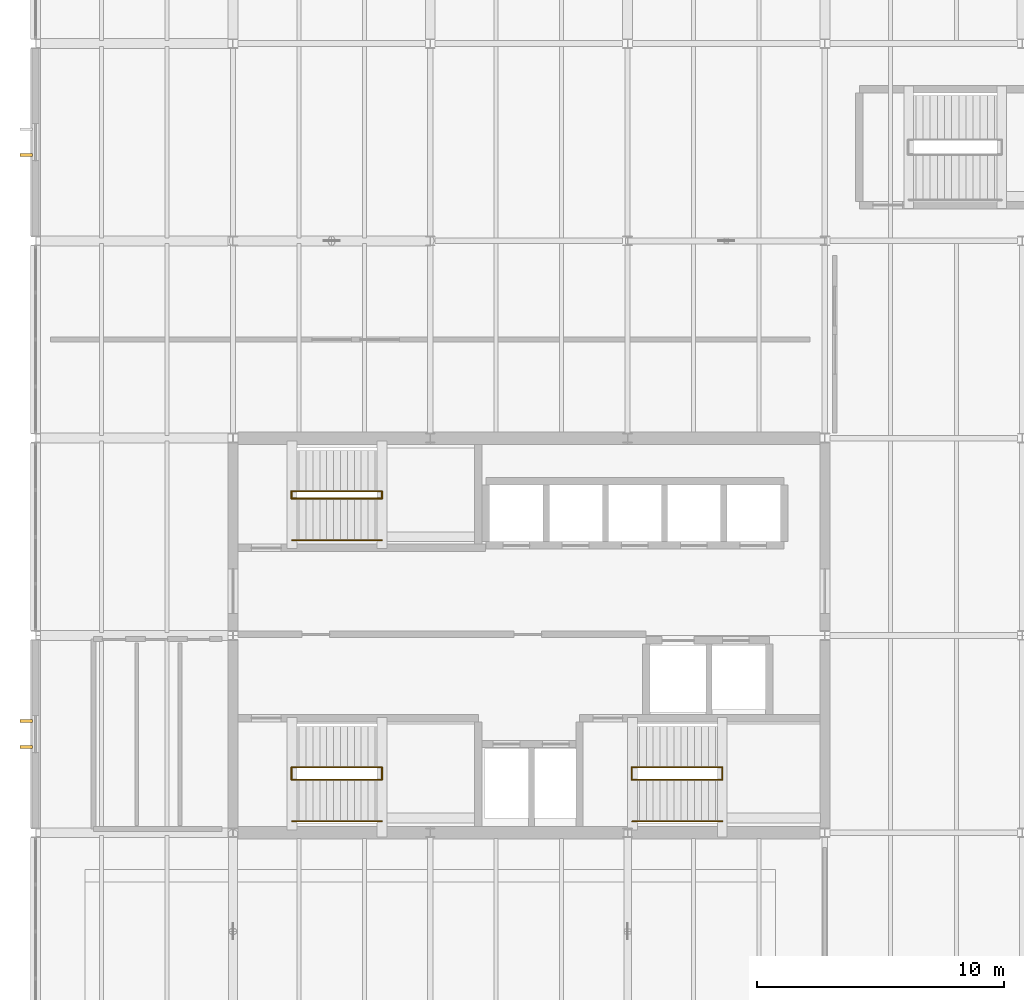
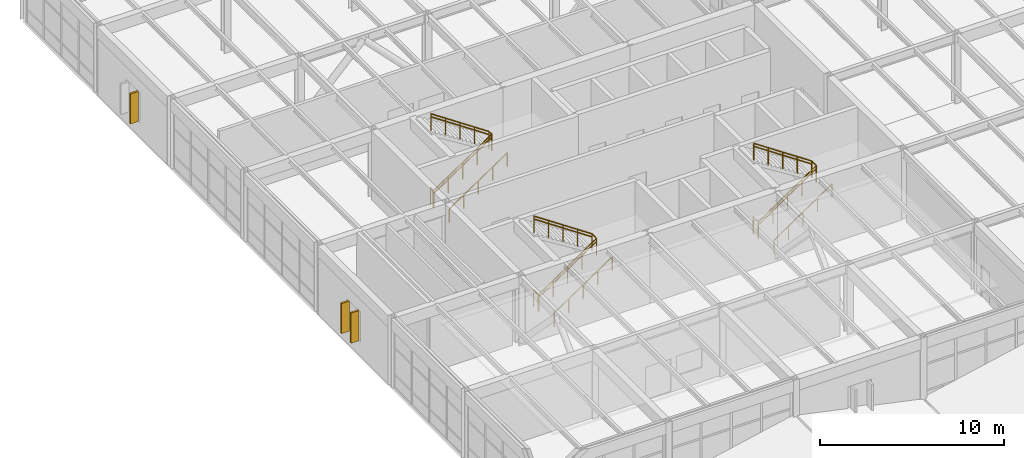
# One storey, part 52 of 60: 18 railings, 3 shading devices.
"""IFC4 building model written with IfcOpenShell, lengths in metres."""

from ifc_helpers import new_model, si_unit, direction, frame, origin, origin_2d, place, context, subcontext, project, spatial, rectangle, circle, extrude, material, type_object, element, save


model = new_model("IFC4")

# Units and contexts
model_context = context("Model", 3, precision=1e-05, world=origin(), true_north=direction((0.0, 1.0)))
body_context = subcontext(model_context, "Body", "Model", "MODEL_VIEW")
ifc_project = project(units=[si_unit("LENGTHUNIT", "METRE"), si_unit("AREAUNIT", "SQUARE_METRE"), si_unit("VOLUMEUNIT", "CUBIC_METRE"), si_unit("PLANEANGLEUNIT", "RADIAN"), si_unit("MASSUNIT", "GRAM", prefix="KILO")], contexts=[model_context])

# Site, building, storey
site_placement = place(None, origin())
site = spatial("IfcSite", under=ifc_project, at=site_placement, CompositionType="ELEMENT")
building_placement = place(site_placement, origin())
building = spatial("IfcBuilding", under=site, at=building_placement, Name="Varnela Railside Interchange", CompositionType="ELEMENT")
storey_placement = place(building_placement, frame((0.0, 0.0, 6.300048828125)))
storey = spatial("IfcBuildingStorey", under=building, at=storey_placement, Name="L01", CompositionType="ELEMENT", Elevation=6.300048828125)

# Shading devices
ifc_material_1 = material(Name="Concrete C40 precast", Category="concrete")
shading_device_type = type_object("IfcShadingDeviceType", Name="Paulista Vertical Brise-Soleil BS-01", PredefinedType="USERDEFINED", material=ifc_material_1)
for number, where, z_axis, x_axis, name in (
    (1, (3.614990234375, 57.47509765625, 0.949951171875), (0.0, 0.0, 1.0), (-1.0, 0.0, 0.0), "Paulista Vertical Brise-Soleil BS-01 (L01)"),
    (2, (3.614990234375, 58.52490234375, 0.949951171875), (0.0, 0.0, 1.0), (-1.0, 0.0, 0.0), "Paulista Vertical Brise-Soleil BS-01 (L01)"),
    (3, (3.614990234375, 81.47509765625, 0.949951171875), (0.0, 0.0, 1.0), (-1.0, 0.0, 0.0), "Paulista Vertical Brise-Soleil BS-01 (L01)"),
):
    element("IfcShadingDevice", number, at=place(storey_placement, frame(where, z_axis=z_axis, x_axis=x_axis)), inside=storey, type_object=shading_device_type, Name=name, ObjectType="FIN", PredefinedType="USERDEFINED", context=body_context, shape_type="SweptSolid", body=[
        extrude(rectangle(XDim=0.5, YDim=0.1201171875, at=origin_2d()), origin(), (0.0, 0.0, 1.0), 2.0),
    ])

# Railings
ifc_material_2 = material(Name="Steel AR 350 (350 MPa)", Category="steel")
railing_type_1 = type_object("IfcRailingType", Name="Stair & Ramp Pitch Handrail HR-01", PredefinedType="HANDRAIL", material=ifc_material_2)
railing_1_placement = place(storey_placement, frame((14.39990234375, 56.14990234375, 0.0)))
element("IfcRailing", 4, at=railing_1_placement, inside=storey, type_object=railing_type_1, Name="Stair Handrail ST-T1 Flight 1 (RL-0311)", PredefinedType="HANDRAIL", context=body_context, shape_type="SweptSolid", body=[
    extrude(circle(Radius=0.02392578125, at=origin_2d()), frame((0.0, 0.0, 0.89599609375), z_axis=(0.829602616941, 0.0, 0.558354276392), x_axis=(0.0, 1.0, 0.0)), (0.0, 0.0, 1.0), 4.3876953125),
    extrude(circle(Radius=0.02099609375, at=origin_2d()), origin(), (0.0, 0.0, 1.0), 0.871826171875),
    extrude(circle(Radius=0.02099609375, at=origin_2d()), frame((0.91015625, 0.0, 0.612548828125)), (0.0, 0.0, 1.0), 0.871826171875),
    extrude(circle(Radius=0.02099609375, at=origin_2d()), frame((1.820068359375, 0.0, 1.22509765625)), (0.0, 0.0, 1.0), 0.871826171875),
    extrude(circle(Radius=0.02099609375, at=origin_2d()), frame((2.72998046875, 0.0, 1.83740234375)), (0.0, 0.0, 1.0), 0.871826171875),
    extrude(circle(Radius=0.02099609375, at=origin_2d()), frame((3.64013671875, 0.0, 2.449951171875)), (0.0, 0.0, 1.0), 0.871826171875),
])
railing_2_placement = place(storey_placement, frame((18.0400390625, 56.64990234375, 2.449951171875)))
element("IfcRailing", 5, at=railing_2_placement, inside=storey, type_object=railing_type_1, Name="Stair Handrail ST-T1 Flight 2 (RL-0312)", PredefinedType="HANDRAIL", context=body_context, shape_type="SweptSolid", body=[
    extrude(circle(Radius=0.02392578125, at=origin_2d()), frame((0.0, 0.0, 0.89599609375), z_axis=(-0.829602616941, 0.0, 0.558354276392), x_axis=(0.0, -1.0, 0.0)), (0.0, 0.0, 1.0), 4.3876953125),
    extrude(circle(Radius=0.02099609375, at=origin_2d()), origin(), (0.0, 0.0, 1.0), 0.871826171875),
    extrude(circle(Radius=0.02099609375, at=origin_2d()), frame((-0.91015625, 0.0, 0.612548828125)), (0.0, 0.0, 1.0), 0.871826171875),
    extrude(circle(Radius=0.02099609375, at=origin_2d()), frame((-1.820068359375, 0.0, 1.22509765625)), (0.0, 0.0, 1.0), 0.871826171875),
    extrude(circle(Radius=0.02099609375, at=origin_2d()), frame((-2.72998046875, 0.0, 1.83740234375)), (0.0, 0.0, 1.0), 0.871826171875),
    extrude(circle(Radius=0.02099609375, at=origin_2d()), frame((-3.64013671875, 0.0, 2.449951171875)), (0.0, 0.0, 1.0), 0.871826171875),
])
railing_3_placement = place(storey_placement, frame((28.199951171875, 56.14990234375, 0.0)))
element("IfcRailing", 6, at=railing_3_placement, inside=storey, type_object=railing_type_1, Name="Stair Handrail ST-T2 Flight 1 (RL-0313)", PredefinedType="HANDRAIL", context=body_context, shape_type="SweptSolid", body=[
    extrude(circle(Radius=0.02392578125, at=origin_2d()), frame((0.0, 0.0, 0.89599609375), z_axis=(0.829602616941, 0.0, 0.558354276392), x_axis=(0.0, 1.0, 0.0)), (0.0, 0.0, 1.0), 4.3876953125),
    extrude(circle(Radius=0.02099609375, at=origin_2d()), origin(), (0.0, 0.0, 1.0), 0.871826171875),
    extrude(circle(Radius=0.02099609375, at=origin_2d()), frame((0.91015625, 0.0, 0.612548828125)), (0.0, 0.0, 1.0), 0.871826171875),
    extrude(circle(Radius=0.02099609375, at=origin_2d()), frame((1.820068359375, 0.0, 1.22509765625)), (0.0, 0.0, 1.0), 0.871826171875),
    extrude(circle(Radius=0.02099609375, at=origin_2d()), frame((2.72998046875, 0.0, 1.83740234375)), (0.0, 0.0, 1.0), 0.871826171875),
    extrude(circle(Radius=0.02099609375, at=origin_2d()), frame((3.64013671875, 0.0, 2.449951171875)), (0.0, 0.0, 1.0), 0.871826171875),
])
railing_4_placement = place(storey_placement, frame((31.840087890625, 56.64990234375, 2.449951171875)))
element("IfcRailing", 7, at=railing_4_placement, inside=storey, type_object=railing_type_1, Name="Stair Handrail ST-T2 Flight 2 (RL-0314)", PredefinedType="HANDRAIL", context=body_context, shape_type="SweptSolid", body=[
    extrude(circle(Radius=0.02392578125, at=origin_2d()), frame((0.0, 0.0, 0.89599609375), z_axis=(-0.829602616941, 0.0, 0.558354276392), x_axis=(0.0, -1.0, 0.0)), (0.0, 0.0, 1.0), 4.3876953125),
    extrude(circle(Radius=0.02099609375, at=origin_2d()), origin(), (0.0, 0.0, 1.0), 0.871826171875),
    extrude(circle(Radius=0.02099609375, at=origin_2d()), frame((-0.91015625, 0.0, 0.612548828125)), (0.0, 0.0, 1.0), 0.871826171875),
    extrude(circle(Radius=0.02099609375, at=origin_2d()), frame((-1.820068359375, 0.0, 1.22509765625)), (0.0, 0.0, 1.0), 0.871826171875),
    extrude(circle(Radius=0.02099609375, at=origin_2d()), frame((-2.72998046875, 0.0, 1.83740234375)), (0.0, 0.0, 1.0), 0.871826171875),
    extrude(circle(Radius=0.02099609375, at=origin_2d()), frame((-3.64013671875, 0.0, 2.449951171875)), (0.0, 0.0, 1.0), 0.871826171875),
])
railing_5_placement = place(storey_placement, frame((14.39990234375, 67.550048828125, 0.0)))
element("IfcRailing", 8, at=railing_5_placement, inside=storey, type_object=railing_type_1, Name="Stair Handrail ST-T3 Flight 1 (RL-0315)", PredefinedType="HANDRAIL", context=body_context, shape_type="SweptSolid", body=[
    extrude(circle(Radius=0.02392578125, at=origin_2d()), frame((0.0, 0.0, 0.89599609375), z_axis=(0.829602616941, 0.0, 0.558354276392), x_axis=(0.0, 1.0, 0.0)), (0.0, 0.0, 1.0), 4.3876953125),
    extrude(circle(Radius=0.02099609375, at=origin_2d()), origin(), (0.0, 0.0, 1.0), 0.871826171875),
    extrude(circle(Radius=0.02099609375, at=origin_2d()), frame((0.91015625, 0.0, 0.612548828125)), (0.0, 0.0, 1.0), 0.871826171875),
    extrude(circle(Radius=0.02099609375, at=origin_2d()), frame((1.820068359375, 0.0, 1.22509765625)), (0.0, 0.0, 1.0), 0.871826171875),
    extrude(circle(Radius=0.02099609375, at=origin_2d()), frame((2.72998046875, 0.0, 1.83740234375)), (0.0, 0.0, 1.0), 0.871826171875),
    extrude(circle(Radius=0.02099609375, at=origin_2d()), frame((3.64013671875, 0.0, 2.449951171875)), (0.0, 0.0, 1.0), 0.871826171875),
])
railing_6_placement = place(storey_placement, frame((18.0400390625, 67.85009765625, 2.449951171875)))
element("IfcRailing", 9, at=railing_6_placement, inside=storey, type_object=railing_type_1, Name="Stair Handrail ST-T3 Flight 2 (RL-0316)", PredefinedType="HANDRAIL", context=body_context, shape_type="SweptSolid", body=[
    extrude(circle(Radius=0.02392578125, at=origin_2d()), frame((0.0, 0.0, 0.89599609375), z_axis=(-0.829602616941, 0.0, 0.558354276392), x_axis=(0.0, -1.0, 0.0)), (0.0, 0.0, 1.0), 4.3876953125),
    extrude(circle(Radius=0.02099609375, at=origin_2d()), origin(), (0.0, 0.0, 1.0), 0.871826171875),
    extrude(circle(Radius=0.02099609375, at=origin_2d()), frame((-0.91015625, 0.0, 0.612548828125)), (0.0, 0.0, 1.0), 0.871826171875),
    extrude(circle(Radius=0.02099609375, at=origin_2d()), frame((-1.820068359375, 0.0, 1.22509765625)), (0.0, 0.0, 1.0), 0.871826171875),
    extrude(circle(Radius=0.02099609375, at=origin_2d()), frame((-2.72998046875, 0.0, 1.83740234375)), (0.0, 0.0, 1.0), 0.871826171875),
    extrude(circle(Radius=0.02099609375, at=origin_2d()), frame((-3.64013671875, 0.0, 2.449951171875)), (0.0, 0.0, 1.0), 0.871826171875),
])
railing_type_2 = type_object("IfcRailingType", Name="Stair Well & Landing Guard GR-02", PredefinedType="GUARDRAIL", material=ifc_material_2)
railing_7_placement = place(storey_placement, frame((14.3701171875, 56.14990234375, 0.0)))
element("IfcRailing", 10, at=railing_7_placement, inside=storey, type_object=railing_type_2, Name="Stair Well Slot Guard ST-T1 on L01 (RL-0284)", PredefinedType="GUARDRAIL", context=body_context, shape_type="SweptSolid", body=[
    extrude(circle(Radius=0.02392578125, at=origin_2d()), frame((0.0, 0.0, 1.09619140625), z_axis=(0.0, 1.0, 0.0), x_axis=(-1.0, 0.0, 0.0)), (0.0, 0.0, 1.0), 0.5),
    extrude(circle(Radius=0.02099609375, at=origin_2d()), origin(), (0.0, 0.0, 1.0), 1.072021484375),
    extrude(circle(Radius=0.02099609375, at=origin_2d()), frame((0.0, 0.5, 0.0)), (0.0, 0.0, 1.0), 1.072021484375),
])
railing_8_placement = place(storey_placement, frame((14.39990234375, 56.14990234375, 0.0)))
element("IfcRailing", 11, at=railing_8_placement, inside=storey, type_object=railing_type_2, Name="Stair Guard ST-T1 Half-Landing (RL-0282)", PredefinedType="GUARDRAIL", context=body_context, shape_type="SweptSolid", body=[
    extrude(circle(Radius=0.02392578125, at=origin_2d()), frame((0.0, 0.0, 1.09619140625), z_axis=(0.829602616941, 0.0, 0.558354276392), x_axis=(0.0, 1.0, 0.0)), (0.0, 0.0, 1.0), 4.3876953125),
    extrude(circle(Radius=0.02392578125, at=origin_2d()), frame((3.64013671875, 0.0, 3.5458984375), z_axis=(0.0, 1.0, 0.0), x_axis=(-1.0, 0.0, 0.0)), (0.0, 0.0, 1.0), 0.5),
    extrude(circle(Radius=0.02099609375, at=origin_2d()), origin(), (0.0, 0.0, 1.0), 1.072021484375),
    extrude(circle(Radius=0.02099609375, at=origin_2d()), frame((0.91015625, 0.0, 0.612548828125)), (0.0, 0.0, 1.0), 1.072021484375),
    extrude(circle(Radius=0.02099609375, at=origin_2d()), frame((1.820068359375, 0.0, 1.22509765625)), (0.0, 0.0, 1.0), 1.072021484375),
    extrude(circle(Radius=0.02099609375, at=origin_2d()), frame((2.72998046875, 0.0, 1.83740234375)), (0.0, 0.0, 1.0), 1.072021484375),
    extrude(circle(Radius=0.02099609375, at=origin_2d()), frame((3.64013671875, 0.0, 2.449951171875)), (0.0, 0.0, 1.0), 1.072021484375),
    extrude(circle(Radius=0.02099609375, at=origin_2d()), frame((3.64013671875, 0.5, 2.449951171875)), (0.0, 0.0, 1.0), 1.072021484375),
])
railing_9_placement = place(storey_placement, frame((18.0400390625, 56.64990234375, 2.449951171875)))
element("IfcRailing", 12, at=railing_9_placement, inside=storey, type_object=railing_type_2, Name="Stair Guard ST-T1 Upper Flight (RL-0283)", PredefinedType="GUARDRAIL", context=body_context, shape_type="SweptSolid", body=[
    extrude(circle(Radius=0.02392578125, at=origin_2d()), frame((0.0, 0.0, 1.09619140625), z_axis=(-0.829602616941, 0.0, 0.558354276392), x_axis=(0.0, -1.0, 0.0)), (0.0, 0.0, 1.0), 4.3876953125),
    extrude(circle(Radius=0.02099609375, at=origin_2d()), origin(), (0.0, 0.0, 1.0), 1.072021484375),
    extrude(circle(Radius=0.02099609375, at=origin_2d()), frame((-0.91015625, 0.0, 0.612548828125)), (0.0, 0.0, 1.0), 1.072021484375),
    extrude(circle(Radius=0.02099609375, at=origin_2d()), frame((-1.820068359375, 0.0, 1.22509765625)), (0.0, 0.0, 1.0), 1.072021484375),
    extrude(circle(Radius=0.02099609375, at=origin_2d()), frame((-2.72998046875, 0.0, 1.83740234375)), (0.0, 0.0, 1.0), 1.072021484375),
    extrude(circle(Radius=0.02099609375, at=origin_2d()), frame((-3.64013671875, 0.0, 2.449951171875)), (0.0, 0.0, 1.0), 1.072021484375),
])
railing_10_placement = place(storey_placement, frame((28.169921875, 56.14990234375, 0.0)))
element("IfcRailing", 13, at=railing_10_placement, inside=storey, type_object=railing_type_2, Name="Stair Well Slot Guard ST-T2 on L01 (RL-0287)", PredefinedType="GUARDRAIL", context=body_context, shape_type="SweptSolid", body=[
    extrude(circle(Radius=0.02392578125, at=origin_2d()), frame((0.0, 0.0, 1.09619140625), z_axis=(0.0, 1.0, 0.0), x_axis=(-1.0, 0.0, 0.0)), (0.0, 0.0, 1.0), 0.5),
    extrude(circle(Radius=0.02099609375, at=origin_2d()), origin(), (0.0, 0.0, 1.0), 1.072021484375),
    extrude(circle(Radius=0.02099609375, at=origin_2d()), frame((0.0, 0.5, 0.0)), (0.0, 0.0, 1.0), 1.072021484375),
])
railing_11_placement = place(storey_placement, frame((28.199951171875, 56.14990234375, 0.0)))
element("IfcRailing", 14, at=railing_11_placement, inside=storey, type_object=railing_type_2, Name="Stair Guard ST-T2 Half-Landing (RL-0285)", PredefinedType="GUARDRAIL", context=body_context, shape_type="SweptSolid", body=[
    extrude(circle(Radius=0.02392578125, at=origin_2d()), frame((0.0, 0.0, 1.09619140625), z_axis=(0.829602616941, 0.0, 0.558354276392), x_axis=(0.0, 1.0, 0.0)), (0.0, 0.0, 1.0), 4.3876953125),
    extrude(circle(Radius=0.02392578125, at=origin_2d()), frame((3.64013671875, 0.0, 3.5458984375), z_axis=(0.0, 1.0, 0.0), x_axis=(-1.0, 0.0, 0.0)), (0.0, 0.0, 1.0), 0.5),
    extrude(circle(Radius=0.02099609375, at=origin_2d()), origin(), (0.0, 0.0, 1.0), 1.072021484375),
    extrude(circle(Radius=0.02099609375, at=origin_2d()), frame((0.91015625, 0.0, 0.612548828125)), (0.0, 0.0, 1.0), 1.072021484375),
    extrude(circle(Radius=0.02099609375, at=origin_2d()), frame((1.820068359375, 0.0, 1.22509765625)), (0.0, 0.0, 1.0), 1.072021484375),
    extrude(circle(Radius=0.02099609375, at=origin_2d()), frame((2.72998046875, 0.0, 1.83740234375)), (0.0, 0.0, 1.0), 1.072021484375),
    extrude(circle(Radius=0.02099609375, at=origin_2d()), frame((3.64013671875, 0.0, 2.449951171875)), (0.0, 0.0, 1.0), 1.072021484375),
    extrude(circle(Radius=0.02099609375, at=origin_2d()), frame((3.64013671875, 0.5, 2.449951171875)), (0.0, 0.0, 1.0), 1.072021484375),
])
railing_12_placement = place(storey_placement, frame((31.840087890625, 56.64990234375, 2.449951171875)))
element("IfcRailing", 15, at=railing_12_placement, inside=storey, type_object=railing_type_2, Name="Stair Guard ST-T2 Upper Flight (RL-0286)", PredefinedType="GUARDRAIL", context=body_context, shape_type="SweptSolid", body=[
    extrude(circle(Radius=0.02392578125, at=origin_2d()), frame((0.0, 0.0, 1.09619140625), z_axis=(-0.829602616941, 0.0, 0.558354276392), x_axis=(0.0, -1.0, 0.0)), (0.0, 0.0, 1.0), 4.3876953125),
    extrude(circle(Radius=0.02099609375, at=origin_2d()), origin(), (0.0, 0.0, 1.0), 1.072021484375),
    extrude(circle(Radius=0.02099609375, at=origin_2d()), frame((-0.91015625, 0.0, 0.612548828125)), (0.0, 0.0, 1.0), 1.072021484375),
    extrude(circle(Radius=0.02099609375, at=origin_2d()), frame((-1.820068359375, 0.0, 1.22509765625)), (0.0, 0.0, 1.0), 1.072021484375),
    extrude(circle(Radius=0.02099609375, at=origin_2d()), frame((-2.72998046875, 0.0, 1.83740234375)), (0.0, 0.0, 1.0), 1.072021484375),
    extrude(circle(Radius=0.02099609375, at=origin_2d()), frame((-3.64013671875, 0.0, 2.449951171875)), (0.0, 0.0, 1.0), 1.072021484375),
])
railing_13_placement = place(storey_placement, frame((14.3701171875, 67.550048828125, 0.0)))
element("IfcRailing", 16, at=railing_13_placement, inside=storey, type_object=railing_type_2, Name="Stair Well Slot Guard ST-T3 on L01 (RL-0290)", PredefinedType="GUARDRAIL", context=body_context, shape_type="SweptSolid", body=[
    extrude(circle(Radius=0.02392578125, at=origin_2d()), frame((0.0, 0.0, 1.09619140625), z_axis=(0.0, 1.0, 0.0), x_axis=(-1.0, 0.0, 0.0)), (0.0, 0.0, 1.0), 0.300048828125),
    extrude(circle(Radius=0.02099609375, at=origin_2d()), origin(), (0.0, 0.0, 1.0), 1.072021484375),
    extrude(circle(Radius=0.02099609375, at=origin_2d()), frame((0.0, 0.300048828125, 0.0)), (0.0, 0.0, 1.0), 1.072021484375),
])
railing_14_placement = place(storey_placement, frame((14.39990234375, 67.550048828125, 0.0)))
element("IfcRailing", 17, at=railing_14_placement, inside=storey, type_object=railing_type_2, Name="Stair Guard ST-T3 Half-Landing (RL-0288)", PredefinedType="GUARDRAIL", context=body_context, shape_type="SweptSolid", body=[
    extrude(circle(Radius=0.02392578125, at=origin_2d()), frame((0.0, 0.0, 1.09619140625), z_axis=(0.829602616941, 0.0, 0.558354276392), x_axis=(0.0, 1.0, 0.0)), (0.0, 0.0, 1.0), 4.3876953125),
    extrude(circle(Radius=0.02392578125, at=origin_2d()), frame((3.64013671875, 0.0, 3.5458984375), z_axis=(0.0, 1.0, 0.0), x_axis=(-1.0, 0.0, 0.0)), (0.0, 0.0, 1.0), 0.300048828125),
    extrude(circle(Radius=0.02099609375, at=origin_2d()), origin(), (0.0, 0.0, 1.0), 1.072021484375),
    extrude(circle(Radius=0.02099609375, at=origin_2d()), frame((0.91015625, 0.0, 0.612548828125)), (0.0, 0.0, 1.0), 1.072021484375),
    extrude(circle(Radius=0.02099609375, at=origin_2d()), frame((1.820068359375, 0.0, 1.22509765625)), (0.0, 0.0, 1.0), 1.072021484375),
    extrude(circle(Radius=0.02099609375, at=origin_2d()), frame((2.72998046875, 0.0, 1.83740234375)), (0.0, 0.0, 1.0), 1.072021484375),
    extrude(circle(Radius=0.02099609375, at=origin_2d()), frame((3.64013671875, 0.0, 2.449951171875)), (0.0, 0.0, 1.0), 1.072021484375),
    extrude(circle(Radius=0.02099609375, at=origin_2d()), frame((3.64013671875, 0.300048828125, 2.449951171875)), (0.0, 0.0, 1.0), 1.072021484375),
])
railing_15_placement = place(storey_placement, frame((18.0400390625, 67.85009765625, 2.449951171875)))
element("IfcRailing", 18, at=railing_15_placement, inside=storey, type_object=railing_type_2, Name="Stair Guard ST-T3 Upper Flight (RL-0289)", PredefinedType="GUARDRAIL", context=body_context, shape_type="SweptSolid", body=[
    extrude(circle(Radius=0.02392578125, at=origin_2d()), frame((0.0, 0.0, 1.09619140625), z_axis=(-0.829602616941, 0.0, 0.558354276392), x_axis=(0.0, -1.0, 0.0)), (0.0, 0.0, 1.0), 4.3876953125),
    extrude(circle(Radius=0.02099609375, at=origin_2d()), origin(), (0.0, 0.0, 1.0), 1.072021484375),
    extrude(circle(Radius=0.02099609375, at=origin_2d()), frame((-0.91015625, 0.0, 0.612548828125)), (0.0, 0.0, 1.0), 1.072021484375),
    extrude(circle(Radius=0.02099609375, at=origin_2d()), frame((-1.820068359375, 0.0, 1.22509765625)), (0.0, 0.0, 1.0), 1.072021484375),
    extrude(circle(Radius=0.02099609375, at=origin_2d()), frame((-2.72998046875, 0.0, 1.83740234375)), (0.0, 0.0, 1.0), 1.072021484375),
    extrude(circle(Radius=0.02099609375, at=origin_2d()), frame((-3.64013671875, 0.0, 2.449951171875)), (0.0, 0.0, 1.0), 1.072021484375),
])
railing_type_3 = type_object("IfcRailingType", Name="Wall-Mounted Stair Handrail HR-02", PredefinedType="HANDRAIL", material=ifc_material_2)
for number, where, name in (
    (19, (14.39990234375, 54.4599609375, 0.0), "Wall Handrail ST-T1 Flight 1 (RL-0326)"),
    (20, (28.199951171875, 54.4599609375, 0.0), "Wall Handrail ST-T2 Flight 1 (RL-0327)"),
    (21, (14.39990234375, 65.860107421875, 0.0), "Wall Handrail ST-T3 Flight 1 (RL-0328)"),
):
    element("IfcRailing", number, at=place(storey_placement, frame(where)), inside=storey, type_object=railing_type_3, Name=name, PredefinedType="HANDRAIL", context=body_context, shape_type="SweptSolid", body=[
        extrude(circle(Radius=0.02392578125, at=origin_2d()), frame((0.0, 0.0, 0.89599609375), z_axis=(0.829602616941, 0.0, 0.558354276392), x_axis=(0.0, 1.0, 0.0)), (0.0, 0.0, 1.0), 4.3876953125),
        extrude(circle(Radius=0.02099609375, at=origin_2d()), origin(), (0.0, 0.0, 1.0), 0.871826171875),
        extrude(circle(Radius=0.02099609375, at=origin_2d()), frame((0.91015625, 0.0, 0.612548828125)), (0.0, 0.0, 1.0), 0.871826171875),
        extrude(circle(Radius=0.02099609375, at=origin_2d()), frame((1.820068359375, 0.0, 1.22509765625)), (0.0, 0.0, 1.0), 0.871826171875),
        extrude(circle(Radius=0.02099609375, at=origin_2d()), frame((2.72998046875, 0.0, 1.83740234375)), (0.0, 0.0, 1.0), 0.871826171875),
        extrude(circle(Radius=0.02099609375, at=origin_2d()), frame((3.64013671875, 0.0, 2.449951171875)), (0.0, 0.0, 1.0), 0.871826171875),
    ])

save(model, "model.ifc")
